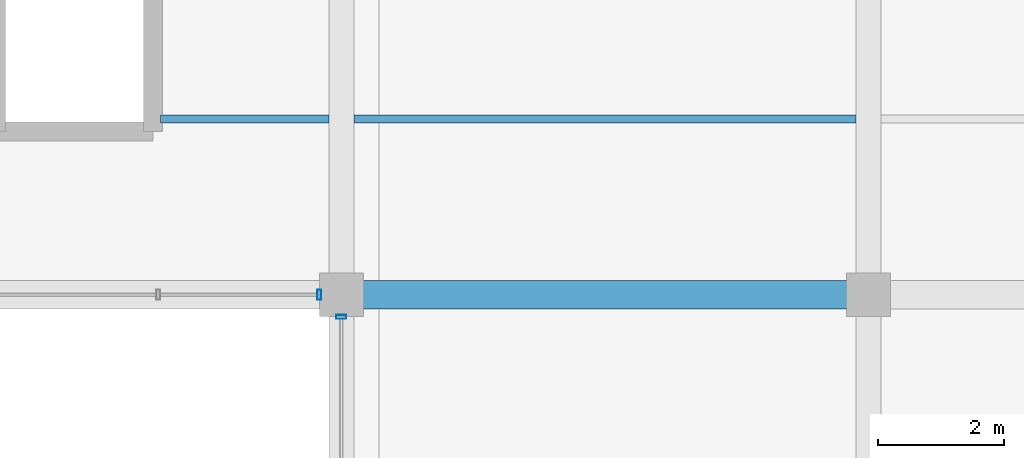
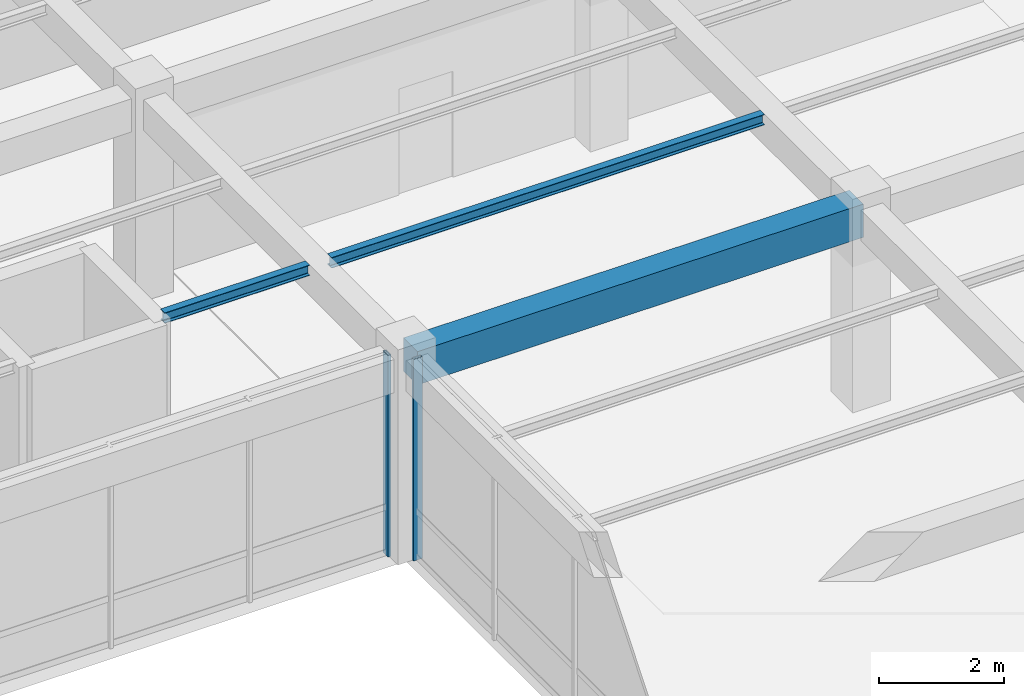
# One storey, part 23 of 152: 3 beams, 2 members, 2 elements without a shape of their own.
"""IFC4 building model written with IfcOpenShell, lengths in metres."""

import ifcopenshell
import ifcopenshell.guid

model = None  # the IFC model being written
_history = None  # IfcOwnerHistory: only IFC2X3 demands one
_inside = {}  # id of a spatial element -> (the spatial element, [elements in it])
_under = {}  # id of a project, library or spatial element -> (it, [spatial elements below it])
_declared = {}  # id of a project -> (the project, [libraries it declares])
_typed = {}  # id of a type object -> (the type object, [elements of that type])
_made_of = {}  # id of a material, layer set ... -> (it, [elements and type objects made of it])


def new_model(schema):
    """Start an empty IFC model of exactly this schema.

    Asked for "IFC4X3", IfcOpenShell would pick the latest addendum, in which some entities
    have other attributes; the version numbers below select the first issue.
    IFC2X3 requires an IfcOwnerHistory on every rooted entity: one is made here for all.
    """
    global model, _history
    if schema == "IFC4X3":
        model = ifcopenshell.file(schema_version=(4, 3, 0, 0))
    else:
        model = ifcopenshell.file(schema=schema)
    _inside.clear()
    _under.clear()
    _declared.clear()
    _typed.clear()
    _made_of.clear()
    _history = None
    if model.schema == "IFC2X3":
        org = make("IfcOrganization", Name="unknown")
        user = make(
            "IfcPersonAndOrganization",
            ThePerson=make("IfcPerson", FamilyName="unknown"),
            TheOrganization=org,
        )
        app = make(
            "IfcApplication",
            ApplicationDeveloper=org,
            Version="unknown",
            ApplicationFullName="unknown",
            ApplicationIdentifier="unknown",
        )
        _history = make(
            "IfcOwnerHistory",
            OwningUser=user,
            OwningApplication=app,
            ChangeAction="ADDED",
            CreationDate=0,
        )
    return model


def make(cls, **values):
    """One entity of the class cls with the attributes given. An attribute that is None is left unset."""
    return model.create_entity(
        cls, **{name: value for name, value in values.items() if value is not None}
    )


def rooted(cls, **values):
    """An entity with a GlobalId (a new one), such as an element, a storey or a relation."""
    return make(cls, GlobalId=ifcopenshell.guid.new(), OwnerHistory=_history, **values)


def si_unit(unit_type, name, prefix=None):
    """IfcSIUnit, for example si_unit("LENGTHUNIT", "METRE", prefix="MILLI")."""
    return make("IfcSIUnit", UnitType=unit_type, Prefix=prefix, Name=name)


def assignment(units):
    """IfcUnitAssignment: the units of a project."""
    return None if units is None else make("IfcUnitAssignment", Units=units)


def point(xyz):
    """IfcCartesianPoint."""
    return None if xyz is None else make("IfcCartesianPoint", Coordinates=xyz)


def direction(xyz):
    """IfcDirection."""
    return None if xyz is None else make("IfcDirection", DirectionRatios=xyz)


def frame(location, z_axis=None, x_axis=None):
    """IfcAxis2Placement3D, a coordinate frame: its origin and axes. An axis left out is left unset."""
    return make(
        "IfcAxis2Placement3D",
        Location=point(location),
        Axis=direction(z_axis),
        RefDirection=direction(x_axis),
    )


def frame_2d(location, x_axis=None):
    """IfcAxis2Placement2D, a coordinate frame in the plane: its origin and x axis."""
    return make(
        "IfcAxis2Placement2D", Location=point(location), RefDirection=direction(x_axis)
    )


def origin():
    """The frame at (0, 0, 0) with its axes left unset."""
    return frame((0.0, 0.0, 0.0))


def origin_2d():
    """The frame at (0, 0) in the plane with its x axis left unset."""
    return frame_2d((0.0, 0.0))


def place(relative_to, where):
    """IfcLocalPlacement: puts the frame where relative to a parent placement (None: the world)."""
    return make(
        "IfcLocalPlacement", PlacementRelTo=relative_to, RelativePlacement=where
    )


def context(
    kind, dimensions, precision=None, world=None, true_north=None, identifier=None
):
    """IfcGeometricRepresentationContext, for example the 3D "Model" context."""
    return make(
        "IfcGeometricRepresentationContext",
        ContextIdentifier=identifier,
        ContextType=kind,
        CoordinateSpaceDimension=dimensions,
        Precision=precision,
        WorldCoordinateSystem=world,
        TrueNorth=true_north,
    )


def subcontext(parent, identifier, kind, view, scale=None):
    """IfcGeometricRepresentationSubContext, for example "Body" below "Model"."""
    return make(
        "IfcGeometricRepresentationSubContext",
        ContextIdentifier=identifier,
        ContextType=kind,
        ParentContext=parent,
        TargetScale=scale,
        TargetView=view,
    )


def project(units=None, contexts=None):
    """IfcProject with its units and contexts."""
    return rooted(
        "IfcProject",
        Name="project",
        RepresentationContexts=contexts,
        UnitsInContext=assignment(units),
    )


def spatial(cls, under=None, at=None, **own):
    """A site, building, storey or space (cls), placed at a placement, below another one or the project."""
    s = rooted(cls, ObjectPlacement=at, **own)
    if under is not None:
        _under.setdefault(under.id(), (under, []))[1].append(s)
    return s


def profile(cls, at=None, kind="AREA", **sizes):
    """A parametric profile (cls). Its sizes go by their IFC names, for example OverallWidth=200.0."""
    return make(cls, ProfileType=kind, Position=at, **sizes)


def rectangle(**sizes):
    """IfcRectangleProfileDef."""
    return profile("IfcRectangleProfileDef", **sizes)


def hollow_rectangle(**sizes):
    """IfcRectangleHollowProfileDef."""
    return profile("IfcRectangleHollowProfileDef", **sizes)


def i_section(**sizes):
    """IfcIShapeProfileDef."""
    return profile("IfcIShapeProfileDef", **sizes)


def extrude(swept, where, along, depth):
    """IfcExtrudedAreaSolid: the profile swept, set in the frame where, extruded along a direction by depth."""
    return make(
        "IfcExtrudedAreaSolid",
        SweptArea=swept,
        Position=where,
        ExtrudedDirection=direction(along),
        Depth=depth,
    )


def shape(context_of_items, identifier, shape_type, items):
    """IfcShapeRepresentation: the items that make up one representation, for example the "Body"."""
    return make(
        "IfcShapeRepresentation",
        ContextOfItems=context_of_items,
        RepresentationIdentifier=identifier,
        RepresentationType=shape_type,
        Items=items,
    )


def material(Name=None, Category=None):
    """IfcMaterial."""
    return make("IfcMaterial", Name=Name, Category=Category)


def material_profile(
    of_material, cross_section, Name=None, Category=None, Priority=None
):
    """IfcMaterialProfile: a cross section and its material."""
    return make(
        "IfcMaterialProfile",
        Name=Name,
        Material=of_material,
        Profile=cross_section,
        Priority=Priority,
        Category=Category,
    )


def profile_set(profiles, Name=None, composite=None):
    """IfcMaterialProfileSet."""
    return make(
        "IfcMaterialProfileSet",
        Name=Name,
        MaterialProfiles=profiles,
        CompositeProfile=composite,
    )


def made_of(thing, what):
    """Note that an element or type object is made of a material, layer set ...; save() writes the relation."""
    if what is not None:
        _made_of.setdefault(what.id(), (what, []))[1].append(thing)
    return thing


def type_object(cls, material=None, **own):
    """A type object (cls), such as IfcWallType, which elements share."""
    return made_of(rooted(cls, **own), material)


def element(
    cls,
    number,
    at=None,
    inside=None,
    cuts=None,
    type_object=None,
    material=None,
    context=None,
    identifier="Body",
    shape_type=None,
    held_by="IfcProductDefinitionShape",
    body=None,
    shapes=None,
    **own,
):
    """One element of the class cls, such as IfcWall. Its Tag is "e" and its number.

    at: its placement. inside: the storey or other place that contains it. cuts: it is an
    opening in that element (IfcRelVoidsElement). A single representation is given by context,
    identifier, shape_type and body (its items); several are given by shapes. held_by: the class
    of the entity that holds the representations. save() writes the other relations.
    """
    e = rooted(cls, Tag="e%d" % number, ObjectPlacement=at, **own)
    if body is not None:
        shapes = [shape(context, identifier, shape_type, body)]
    if shapes is not None:
        e.Representation = make(held_by, Representations=shapes)
    if inside is not None:
        _inside.setdefault(inside.id(), (inside, []))[1].append(e)
    if cuts is not None:
        rooted(
            "IfcRelVoidsElement", RelatingBuildingElement=cuts, RelatedOpeningElement=e
        )
    if type_object is not None:
        _typed.setdefault(type_object.id(), (type_object, []))[1].append(e)
    return made_of(e, material)


def aggregate(whole, parts):
    """IfcRelAggregates: a whole, such as a stair, and the parts it consists of."""
    return rooted("IfcRelAggregates", RelatingObject=whole, RelatedObjects=parts)


def save(model, path):
    """Write the relations noted so far, then the file.

    IfcRelAggregates (storeys below a building ...), IfcRelContainedInSpatialStructure (elements
    in a storey), IfcRelDefinesByType, IfcRelAssociatesMaterial and IfcRelDeclares: one each for
    every whole, place, type object, material and project.
    """
    for whole, parts in _under.values():
        aggregate(whole, parts)
    for where, things in _inside.values():
        rooted(
            "IfcRelContainedInSpatialStructure",
            RelatedElements=things,
            RelatingStructure=where,
        )
    for kind, things in _typed.values():
        rooted("IfcRelDefinesByType", RelatedObjects=things, RelatingType=kind)
    for what, things in _made_of.values():
        rooted("IfcRelAssociatesMaterial", RelatedObjects=things, RelatingMaterial=what)
    for by, libraries in _declared.values():
        rooted("IfcRelDeclares", RelatingContext=by, RelatedDefinitions=libraries)
    model.write(path)


model = new_model("IFC4")

# Units and contexts
model_context = context("Model", 3, precision=1e-05, world=origin(), true_north=direction((0.0, 1.0)))
body_context = subcontext(model_context, "Body", "Model", "MODEL_VIEW")
ifc_project = project(units=[si_unit("LENGTHUNIT", "METRE"), si_unit("AREAUNIT", "SQUARE_METRE"), si_unit("VOLUMEUNIT", "CUBIC_METRE"), si_unit("PLANEANGLEUNIT", "RADIAN"), si_unit("MASSUNIT", "GRAM", prefix="KILO"), si_unit("THERMODYNAMICTEMPERATUREUNIT", "KELVIN"), si_unit("POWERUNIT", "WATT")], contexts=[model_context])

# Site, building, storey
site_placement = place(None, origin())
site = spatial("IfcSite", under=ifc_project, at=site_placement, CompositionType="ELEMENT")
building_placement = place(site_placement, origin())
building = spatial("IfcBuilding", under=site, at=building_placement, Name="Darbajah Civic Hall", CompositionType="ELEMENT")
storey_placement = place(building_placement, frame((0.0, 0.0, 5.39990234375)))
storey = spatial("IfcBuildingStorey", under=building, at=storey_placement, Name="L01", CompositionType="ELEMENT", Elevation=5.39990234375)

# Curtain wall, member
ifc_material_1 = material(Name="Anodised Bronze Aluminium and Low-E Glazing", Category="aluminium")
curtain_wall_type = type_object("IfcCurtainWallType", Name="Unitised Curtain Wall CW-99 7700x3950", PredefinedType="USERDEFINED", material=ifc_material_1)
curtain_wall_1_placement = place(storey_placement, origin())
curtain_wall_1 = element("IfcCurtainWall", 1, at=curtain_wall_1_placement, inside=storey, type_object=curtain_wall_type, Name="L01 unitised curtain wall CW-V5-L01-S2-B3", ObjectType="UNITISED CURTAIN WALL", PredefinedType="USERDEFINED")
ifc_material_2 = material(Name="Anodised Bronze Aluminium", Category="aluminium")
ifc_material_profile_1 = material_profile(ifc_material_2, hollow_rectangle(XDim=0.06005859375, YDim=0.159912109375, WallThickness=0.00341796875, at=origin_2d()), Name="ALU MULLION 60x160")
ifc_profile_set_1 = profile_set([ifc_material_profile_1], Name="Anodised Bronze Aluminium")
member_type = type_object("IfcMemberType", Name="ALU MULLION 60x160", PredefinedType="MULLION", material=ifc_profile_set_1)
member_1_placement = place(storey_placement, frame((50.048095703125, 16.800048828125, 0.0), z_axis=(0.0, 0.0, 1.0), x_axis=(1.0, 0.0, 0.0)))
member_1 = element("IfcMember", 2, at=member_1_placement, type_object=member_type, Name="CW-V5-L01-S2-B3 mullion 4", PredefinedType="MULLION", context=body_context, shape_type="SweptSolid", body=[
    extrude(hollow_rectangle(XDim=0.06005859375, YDim=0.159912109375, WallThickness=0.00341796875, at=origin_2d()), origin(), (0.0, 0.0, 1.0), 3.940185546875),
])
aggregate(curtain_wall_1, [member_1])

curtain_wall_2_placement = place(storey_placement, origin())
curtain_wall_2 = element("IfcCurtainWall", 3, at=curtain_wall_2_placement, inside=storey, type_object=curtain_wall_type, Name="L01 unitised curtain wall CW-V5-L01-S3-B0", ObjectType="UNITISED CURTAIN WALL", PredefinedType="USERDEFINED")
member_2_placement = place(storey_placement, frame((50.39990234375, 16.447998046875, 0.0), z_axis=(0.0, 0.0, 1.0), x_axis=(0.0, -1.0, 0.0)))
member_2 = element("IfcMember", 4, at=member_2_placement, type_object=member_type, Name="CW-V5-L01-S3-B0 mullion 1", PredefinedType="MULLION", context=body_context, shape_type="SweptSolid", body=[
    extrude(hollow_rectangle(XDim=0.06005859375, YDim=0.159912109375, WallThickness=0.00341796875, at=origin_2d()), origin(), (0.0, 0.0, 1.0), 3.940185546875),
])
aggregate(curtain_wall_2, [member_2])

# Beams
ifc_material_3 = material(Name="Concrete C45/55", Category="concrete")
ifc_material_profile_2 = material_profile(ifc_material_3, rectangle(XDim=0.449951171875, YDim=0.64990234375, at=origin_2d()), Name="RC BEAM 450x650")
ifc_profile_set_2 = profile_set([ifc_material_profile_2], Name="Concrete C45/55")
beam_type_1 = type_object("IfcBeamType", Name="RC BEAM 450x650", PredefinedType="BEAM", material=ifc_profile_set_2)
beam_1_placement = place(storey_placement, frame((50.47998046875, 16.800048828125, 3.614990234375), z_axis=(1.0, 0.0, 0.0), x_axis=(0.0, 1.0, 0.0)))
element("IfcBeam", 5, at=beam_1_placement, inside=storey, type_object=beam_type_1, Name="L01 beam BM-4565", PredefinedType="BEAM", context=body_context, shape_type="SweptSolid", body=[
    extrude(rectangle(XDim=0.449951171875, YDim=0.64990234375, at=origin_2d()), origin(), (0.0, 0.0, 1.0), 8.239990234375),
])
ifc_material_4 = material(Name="Steel S355JR", Category="steel")
ifc_material_profile_3 = material_profile(ifc_material_4, i_section(OverallWidth=0.1337890625, OverallDepth=0.206787109375, WebThickness=0.00634765625, FlangeThickness=0.009521484375, FilletRadius=0.007568359375, at=origin_2d()), Name="UB 203x133x30")
ifc_profile_set_3 = profile_set([ifc_material_profile_3], Name="Steel S355JR")
beam_type_2 = type_object("IfcBeamType", Name="UB 203x133x30", PredefinedType="JOIST", material=ifc_profile_set_3)
beam_2_placement = place(storey_placement, frame((47.52001953125, 19.60009765625, 3.836669921875), z_axis=(1.0, 0.0, 0.0), x_axis=(0.0, 1.0, 0.0)))
element("IfcBeam", 6, at=beam_2_placement, inside=storey, type_object=beam_type_2, Name="L01 beam SJ-203", PredefinedType="JOIST", context=body_context, shape_type="SweptSolid", body=[
    extrude(i_section(OverallWidth=0.1337890625, OverallDepth=0.206787109375, WebThickness=0.00634765625, FlangeThickness=0.009521484375, FilletRadius=0.007568359375, at=origin_2d()), origin(), (0.0, 0.0, 1.0), 2.679931640625),
])
beam_3_placement = place(storey_placement, frame((50.60009765625, 19.60009765625, 3.836669921875), z_axis=(1.0, 0.0, 0.0), x_axis=(0.0, 1.0, 0.0)))
element("IfcBeam", 7, at=beam_3_placement, inside=storey, type_object=beam_type_2, Name="L01 beam SJ-203", PredefinedType="JOIST", context=body_context, shape_type="SweptSolid", body=[
    extrude(i_section(OverallWidth=0.1337890625, OverallDepth=0.206787109375, WebThickness=0.00634765625, FlangeThickness=0.009521484375, FilletRadius=0.007568359375, at=origin_2d()), origin(), (0.0, 0.0, 1.0), 8.0),
])

save(model, "model.ifc")
